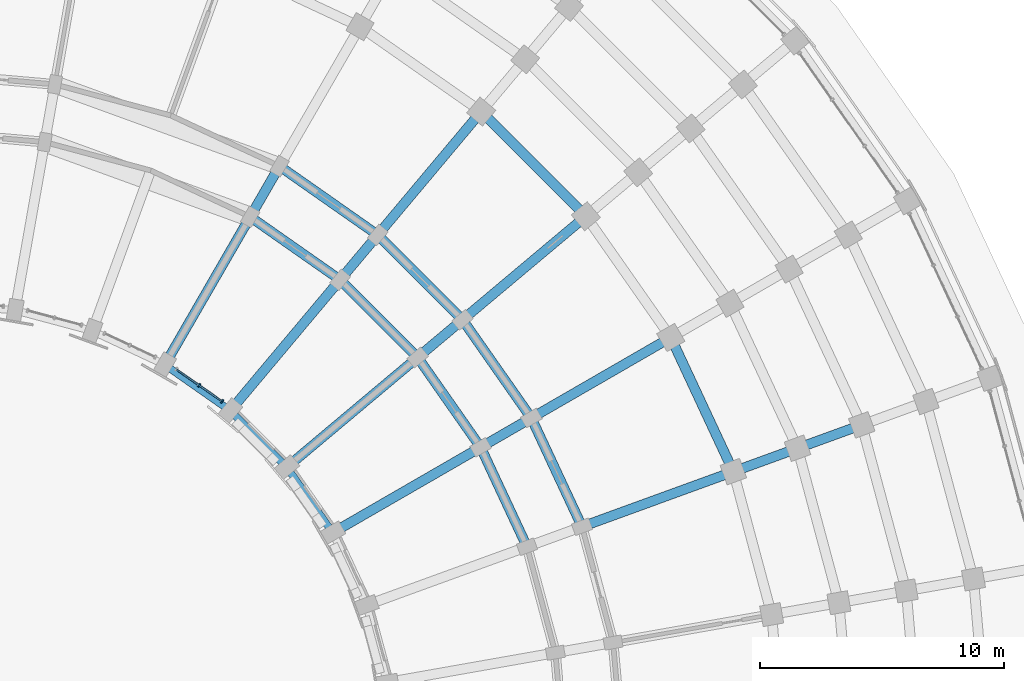
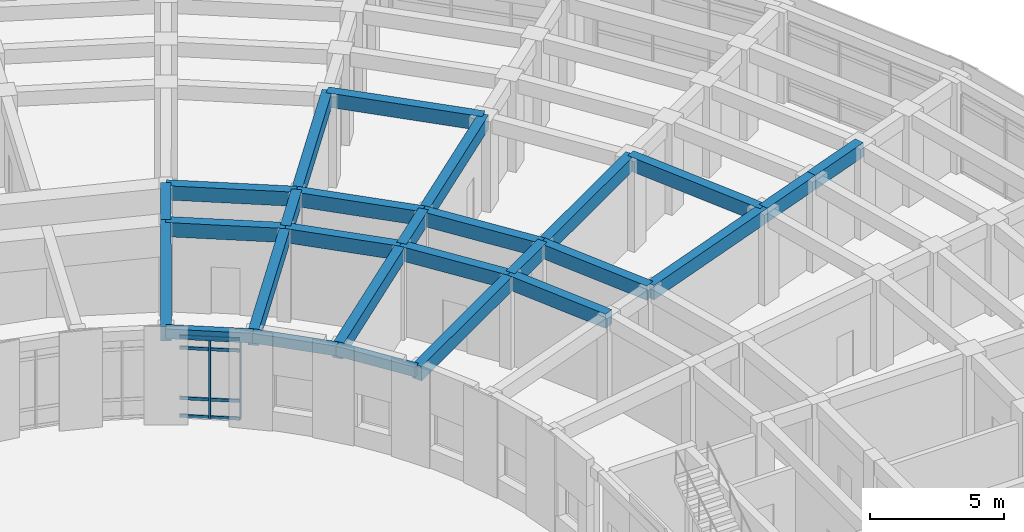
# One storey, part 50 of 135: 27 beams, 6 members, 1 element without a shape of its own.
"""IFC4 building model written with IfcOpenShell, lengths in metres."""

import ifcopenshell
import ifcopenshell.guid

model = None  # the IFC model being written
_history = None  # IfcOwnerHistory: only IFC2X3 demands one
_inside = {}  # id of a spatial element -> (the spatial element, [elements in it])
_under = {}  # id of a project, library or spatial element -> (it, [spatial elements below it])
_declared = {}  # id of a project -> (the project, [libraries it declares])
_typed = {}  # id of a type object -> (the type object, [elements of that type])
_made_of = {}  # id of a material, layer set ... -> (it, [elements and type objects made of it])


def new_model(schema):
    """Start an empty IFC model of exactly this schema.

    Asked for "IFC4X3", IfcOpenShell would pick the latest addendum, in which some entities
    have other attributes; the version numbers below select the first issue.
    IFC2X3 requires an IfcOwnerHistory on every rooted entity: one is made here for all.
    """
    global model, _history
    if schema == "IFC4X3":
        model = ifcopenshell.file(schema_version=(4, 3, 0, 0))
    else:
        model = ifcopenshell.file(schema=schema)
    _inside.clear()
    _under.clear()
    _declared.clear()
    _typed.clear()
    _made_of.clear()
    _history = None
    if model.schema == "IFC2X3":
        org = make("IfcOrganization", Name="unknown")
        user = make(
            "IfcPersonAndOrganization",
            ThePerson=make("IfcPerson", FamilyName="unknown"),
            TheOrganization=org,
        )
        app = make(
            "IfcApplication",
            ApplicationDeveloper=org,
            Version="unknown",
            ApplicationFullName="unknown",
            ApplicationIdentifier="unknown",
        )
        _history = make(
            "IfcOwnerHistory",
            OwningUser=user,
            OwningApplication=app,
            ChangeAction="ADDED",
            CreationDate=0,
        )
    return model


def make(cls, **values):
    """One entity of the class cls with the attributes given. An attribute that is None is left unset."""
    return model.create_entity(
        cls, **{name: value for name, value in values.items() if value is not None}
    )


def rooted(cls, **values):
    """An entity with a GlobalId (a new one), such as an element, a storey or a relation."""
    return make(cls, GlobalId=ifcopenshell.guid.new(), OwnerHistory=_history, **values)


def si_unit(unit_type, name, prefix=None):
    """IfcSIUnit, for example si_unit("LENGTHUNIT", "METRE", prefix="MILLI")."""
    return make("IfcSIUnit", UnitType=unit_type, Prefix=prefix, Name=name)


def assignment(units):
    """IfcUnitAssignment: the units of a project."""
    return None if units is None else make("IfcUnitAssignment", Units=units)


def point(xyz):
    """IfcCartesianPoint."""
    return None if xyz is None else make("IfcCartesianPoint", Coordinates=xyz)


def direction(xyz):
    """IfcDirection."""
    return None if xyz is None else make("IfcDirection", DirectionRatios=xyz)


def frame(location, z_axis=None, x_axis=None):
    """IfcAxis2Placement3D, a coordinate frame: its origin and axes. An axis left out is left unset."""
    return make(
        "IfcAxis2Placement3D",
        Location=point(location),
        Axis=direction(z_axis),
        RefDirection=direction(x_axis),
    )


def frame_2d(location, x_axis=None):
    """IfcAxis2Placement2D, a coordinate frame in the plane: its origin and x axis."""
    return make(
        "IfcAxis2Placement2D", Location=point(location), RefDirection=direction(x_axis)
    )


def origin():
    """The frame at (0, 0, 0) with its axes left unset."""
    return frame((0.0, 0.0, 0.0))


def origin_2d():
    """The frame at (0, 0) in the plane with its x axis left unset."""
    return frame_2d((0.0, 0.0))


def place(relative_to, where):
    """IfcLocalPlacement: puts the frame where relative to a parent placement (None: the world)."""
    return make(
        "IfcLocalPlacement", PlacementRelTo=relative_to, RelativePlacement=where
    )


def context(
    kind, dimensions, precision=None, world=None, true_north=None, identifier=None
):
    """IfcGeometricRepresentationContext, for example the 3D "Model" context."""
    return make(
        "IfcGeometricRepresentationContext",
        ContextIdentifier=identifier,
        ContextType=kind,
        CoordinateSpaceDimension=dimensions,
        Precision=precision,
        WorldCoordinateSystem=world,
        TrueNorth=true_north,
    )


def subcontext(parent, identifier, kind, view, scale=None):
    """IfcGeometricRepresentationSubContext, for example "Body" below "Model"."""
    return make(
        "IfcGeometricRepresentationSubContext",
        ContextIdentifier=identifier,
        ContextType=kind,
        ParentContext=parent,
        TargetScale=scale,
        TargetView=view,
    )


def project(units=None, contexts=None):
    """IfcProject with its units and contexts."""
    return rooted(
        "IfcProject",
        Name="project",
        RepresentationContexts=contexts,
        UnitsInContext=assignment(units),
    )


def spatial(cls, under=None, at=None, **own):
    """A site, building, storey or space (cls), placed at a placement, below another one or the project."""
    s = rooted(cls, ObjectPlacement=at, **own)
    if under is not None:
        _under.setdefault(under.id(), (under, []))[1].append(s)
    return s


def profile(cls, at=None, kind="AREA", **sizes):
    """A parametric profile (cls). Its sizes go by their IFC names, for example OverallWidth=200.0."""
    return make(cls, ProfileType=kind, Position=at, **sizes)


def rectangle(**sizes):
    """IfcRectangleProfileDef."""
    return profile("IfcRectangleProfileDef", **sizes)


def extrude(swept, where, along, depth):
    """IfcExtrudedAreaSolid: the profile swept, set in the frame where, extruded along a direction by depth."""
    return make(
        "IfcExtrudedAreaSolid",
        SweptArea=swept,
        Position=where,
        ExtrudedDirection=direction(along),
        Depth=depth,
    )


def shape(context_of_items, identifier, shape_type, items):
    """IfcShapeRepresentation: the items that make up one representation, for example the "Body"."""
    return make(
        "IfcShapeRepresentation",
        ContextOfItems=context_of_items,
        RepresentationIdentifier=identifier,
        RepresentationType=shape_type,
        Items=items,
    )


def material(Name=None, Category=None):
    """IfcMaterial."""
    return make("IfcMaterial", Name=Name, Category=Category)


def material_profile(
    of_material, cross_section, Name=None, Category=None, Priority=None
):
    """IfcMaterialProfile: a cross section and its material."""
    return make(
        "IfcMaterialProfile",
        Name=Name,
        Material=of_material,
        Profile=cross_section,
        Priority=Priority,
        Category=Category,
    )


def profile_set(profiles, Name=None, composite=None):
    """IfcMaterialProfileSet."""
    return make(
        "IfcMaterialProfileSet",
        Name=Name,
        MaterialProfiles=profiles,
        CompositeProfile=composite,
    )


def made_of(thing, what):
    """Note that an element or type object is made of a material, layer set ...; save() writes the relation."""
    if what is not None:
        _made_of.setdefault(what.id(), (what, []))[1].append(thing)
    return thing


def type_object(cls, material=None, **own):
    """A type object (cls), such as IfcWallType, which elements share."""
    return made_of(rooted(cls, **own), material)


def element(
    cls,
    number,
    at=None,
    inside=None,
    cuts=None,
    type_object=None,
    material=None,
    context=None,
    identifier="Body",
    shape_type=None,
    held_by="IfcProductDefinitionShape",
    body=None,
    shapes=None,
    **own,
):
    """One element of the class cls, such as IfcWall. Its Tag is "e" and its number.

    at: its placement. inside: the storey or other place that contains it. cuts: it is an
    opening in that element (IfcRelVoidsElement). A single representation is given by context,
    identifier, shape_type and body (its items); several are given by shapes. held_by: the class
    of the entity that holds the representations. save() writes the other relations.
    """
    e = rooted(cls, Tag="e%d" % number, ObjectPlacement=at, **own)
    if body is not None:
        shapes = [shape(context, identifier, shape_type, body)]
    if shapes is not None:
        e.Representation = make(held_by, Representations=shapes)
    if inside is not None:
        _inside.setdefault(inside.id(), (inside, []))[1].append(e)
    if cuts is not None:
        rooted(
            "IfcRelVoidsElement", RelatingBuildingElement=cuts, RelatedOpeningElement=e
        )
    if type_object is not None:
        _typed.setdefault(type_object.id(), (type_object, []))[1].append(e)
    return made_of(e, material)


def aggregate(whole, parts):
    """IfcRelAggregates: a whole, such as a stair, and the parts it consists of."""
    return rooted("IfcRelAggregates", RelatingObject=whole, RelatedObjects=parts)


def save(model, path):
    """Write the relations noted so far, then the file.

    IfcRelAggregates (storeys below a building ...), IfcRelContainedInSpatialStructure (elements
    in a storey), IfcRelDefinesByType, IfcRelAssociatesMaterial and IfcRelDeclares: one each for
    every whole, place, type object, material and project.
    """
    for whole, parts in _under.values():
        aggregate(whole, parts)
    for where, things in _inside.values():
        rooted(
            "IfcRelContainedInSpatialStructure",
            RelatedElements=things,
            RelatingStructure=where,
        )
    for kind, things in _typed.values():
        rooted("IfcRelDefinesByType", RelatedObjects=things, RelatingType=kind)
    for what, things in _made_of.values():
        rooted("IfcRelAssociatesMaterial", RelatedObjects=things, RelatingMaterial=what)
    for by, libraries in _declared.values():
        rooted("IfcRelDeclares", RelatingContext=by, RelatedDefinitions=libraries)
    model.write(path)


model = new_model("IFC4")

# Units and contexts
model_context = context("Model", 3, precision=1e-05, world=origin(), true_north=direction((0.0, 1.0)))
body_context = subcontext(model_context, "Body", "Model", "MODEL_VIEW")
ifc_project = project(units=[si_unit("LENGTHUNIT", "METRE"), si_unit("AREAUNIT", "SQUARE_METRE"), si_unit("VOLUMEUNIT", "CUBIC_METRE"), si_unit("PLANEANGLEUNIT", "RADIAN"), si_unit("MASSUNIT", "GRAM", prefix="KILO")], contexts=[model_context])

# Site, building, storey
site_placement = place(None, origin())
site = spatial("IfcSite", under=ifc_project, at=site_placement, CompositionType="ELEMENT")
building_placement = place(site_placement, origin())
building = spatial("IfcBuilding", under=site, at=building_placement, Name="Kiranvali Square Residences", CompositionType="ELEMENT")
storey_placement = place(building_placement, origin())
storey = spatial("IfcBuildingStorey", under=building, at=storey_placement, Name="L00", CompositionType="ELEMENT", Elevation=0.0)

# Beams
ifc_material_1 = material(Name="Concrete M45 (45 MPa)", Category="concrete")
ifc_material_profile_1 = material_profile(ifc_material_1, rectangle(XDim=0.39990234375, YDim=0.64990234375, at=origin_2d()), Name="RC 400x650")
ifc_profile_set_1 = profile_set([ifc_material_profile_1], Name="Concrete M45 (45 MPa)")
beam_type_1 = type_object("IfcBeamType", Name="BM-M45-400x650", PredefinedType="BEAM", material=ifc_profile_set_1)
beam_1_placement = place(storey_placement, frame((132.699951171875, 110.1435546875, 3.824951171875), z_axis=(0.819155404658, -0.573571637217, 0.0), x_axis=(0.573571637217, 0.819155404658, 0.0)))
element("IfcBeam", 1, at=beam_1_placement, inside=storey, type_object=beam_type_1, Name="L00 beam BM-B-L00-C03-R1", PredefinedType="BEAM", context=body_context, shape_type="SweptSolid", body=[
    extrude(rectangle(XDim=0.39990234375, YDim=0.64990234375, at=origin_2d()), origin(), (0.0, 0.0, 1.0), 4.497314453125),
])
beam_2_placement = place(storey_placement, frame((133.89990234375, 112.221923828125, 3.824951171875), z_axis=(0.819140911474, -0.573592335331, 0.0), x_axis=(0.573592335331, 0.819140911474, 0.0)))
element("IfcBeam", 2, at=beam_2_placement, inside=storey, type_object=beam_type_1, Name="L00 beam BM-B-L00-C03-R2", PredefinedType="BEAM", context=body_context, shape_type="SweptSolid", body=[
    extrude(rectangle(XDim=0.39990234375, YDim=0.64990234375, at=origin_2d()), origin(), (0.0, 0.0, 1.0), 4.915771484375),
])
beam_3_placement = place(storey_placement, frame((136.384033203125, 107.56396484375, 3.824951171875), z_axis=(0.707106781187, -0.707106781187, 0.0), x_axis=(0.707106781187, 0.707106781187, 0.0)))
element("IfcBeam", 3, at=beam_3_placement, inside=storey, type_object=beam_type_1, Name="L00 beam BM-B-L00-C04-R1", PredefinedType="BEAM", context=body_context, shape_type="SweptSolid", body=[
    extrude(rectangle(XDim=0.39990234375, YDim=0.64990234375, at=origin_2d()), origin(), (0.0, 0.0, 1.0), 4.4970703125),
])
beam_4_placement = place(storey_placement, frame((137.926513671875, 109.40234375, 3.824951171875), z_axis=(0.707106781187, -0.707106781187, 0.0), x_axis=(0.707106781187, 0.707106781187, 0.0)))
element("IfcBeam", 4, at=beam_4_placement, inside=storey, type_object=beam_type_1, Name="L00 beam BM-B-L00-C04-R2", PredefinedType="BEAM", context=body_context, shape_type="SweptSolid", body=[
    extrude(rectangle(XDim=0.39990234375, YDim=0.64990234375, at=origin_2d()), origin(), (0.0, 0.0, 1.0), 4.91552734375),
])
beam_5_placement = place(storey_placement, frame((142.1689453125, 114.458251953125, 3.824951171875), z_axis=(0.707106781187, -0.707106781187, 0.0), x_axis=(0.707106781187, 0.707106781187, 0.0)))
element("IfcBeam", 5, at=beam_5_placement, inside=storey, type_object=beam_type_1, Name="L00 beam BM-B-L00-C04-R3", PredefinedType="BEAM", context=body_context, shape_type="SweptSolid", body=[
    extrude(rectangle(XDim=0.39990234375, YDim=0.64990234375, at=origin_2d()), origin(), (0.0, 0.0, 1.0), 6.06591796875),
])
beam_6_placement = place(storey_placement, frame((139.56396484375, 104.384033203125, 3.824951171875), z_axis=(0.573571637217, -0.819155404658, 0.0), x_axis=(0.819155404658, 0.573571637217, 0.0)))
element("IfcBeam", 6, at=beam_6_placement, inside=storey, type_object=beam_type_1, Name="L00 beam BM-B-L00-C05-R1", PredefinedType="BEAM", context=body_context, shape_type="SweptSolid", body=[
    extrude(rectangle(XDim=0.39990234375, YDim=0.64990234375, at=origin_2d()), origin(), (0.0, 0.0, 1.0), 4.497314453125),
])
beam_7_placement = place(storey_placement, frame((141.40234375, 105.926513671875, 3.824951171875), z_axis=(0.573592335331, -0.819140911474, 0.0), x_axis=(0.819140911474, 0.573592335331, 0.0)))
element("IfcBeam", 7, at=beam_7_placement, inside=storey, type_object=beam_type_1, Name="L00 beam BM-B-L00-C05-R2", PredefinedType="BEAM", context=body_context, shape_type="SweptSolid", body=[
    extrude(rectangle(XDim=0.39990234375, YDim=0.64990234375, at=origin_2d()), origin(), (0.0, 0.0, 1.0), 4.915771484375),
])
beam_8_placement = place(storey_placement, frame((142.1435546875, 100.699951171875, 3.824951171875), z_axis=(0.422617978463, -0.906307919131, 0.0), x_axis=(0.906307919131, 0.422617978463, 0.0)))
element("IfcBeam", 8, at=beam_8_placement, inside=storey, type_object=beam_type_1, Name="L00 beam BM-B-L00-C06-R1", PredefinedType="BEAM", context=body_context, shape_type="SweptSolid", body=[
    extrude(rectangle(XDim=0.39990234375, YDim=0.64990234375, at=origin_2d()), origin(), (0.0, 0.0, 1.0), 4.497314453125),
])
beam_9_placement = place(storey_placement, frame((144.221923828125, 101.89990234375, 3.824951171875), z_axis=(0.422629854778, -0.906302381024, 0.0), x_axis=(0.906302381024, 0.422629854778, 0.0)))
element("IfcBeam", 9, at=beam_9_placement, inside=storey, type_object=beam_type_1, Name="L00 beam BM-B-L00-C06-R2", PredefinedType="BEAM", context=body_context, shape_type="SweptSolid", body=[
    extrude(rectangle(XDim=0.39990234375, YDim=0.64990234375, at=origin_2d()), origin(), (0.0, 0.0, 1.0), 4.915283203125),
])
beam_10_placement = place(storey_placement, frame((149.937744140625, 105.199951171875, 3.824951171875), z_axis=(0.42260781991, -0.906312656069, 0.0), x_axis=(0.906312656069, 0.42260781991, 0.0)))
element("IfcBeam", 10, at=beam_10_placement, inside=storey, type_object=beam_type_1, Name="L00 beam BM-B-L00-C06-R3", PredefinedType="BEAM", context=body_context, shape_type="SweptSolid", body=[
    extrude(rectangle(XDim=0.39990234375, YDim=0.64990234375, at=origin_2d()), origin(), (0.0, 0.0, 1.0), 6.06591796875),
])
beam_11_placement = place(storey_placement, frame((129.199951171875, 104.081298828125, 3.824951171875), z_axis=(0.499995173006, 0.866028190633, 0.0), x_axis=(-0.866028190633, 0.499995173006, 0.0)))
element("IfcBeam", 11, at=beam_11_placement, inside=storey, type_object=beam_type_1, Name="L00 beam BM-B-L00-RAD03-01", PredefinedType="BEAM", context=body_context, shape_type="SweptSolid", body=[
    extrude(rectangle(XDim=0.39990234375, YDim=0.64990234375, at=origin_2d()), origin(), (0.0, 0.0, 1.0), 7.0),
])
beam_12_placement = place(storey_placement, frame((132.699951171875, 110.1435546875, 3.824951171875), z_axis=(0.500001309137, 0.866024647952, 0.0), x_axis=(-0.866024647952, 0.500001309137, 0.0)))
element("IfcBeam", 12, at=beam_12_placement, inside=storey, type_object=beam_type_1, Name="L00 beam BM-B-L00-RAD03-12", PredefinedType="BEAM", context=body_context, shape_type="SweptSolid", body=[
    extrude(rectangle(XDim=0.39990234375, YDim=0.64990234375, at=origin_2d()), origin(), (0.0, 0.0, 1.0), 2.39990234375),
])
beam_13_placement = place(storey_placement, frame((131.884521484375, 102.20166015625, 3.824951171875), z_axis=(0.642787931032, 0.766044173478, 0.0), x_axis=(-0.766044173478, 0.642787931032, 0.0)))
element("IfcBeam", 13, at=beam_13_placement, inside=storey, type_object=beam_type_1, Name="L00 beam BM-B-L00-RAD04-01", PredefinedType="BEAM", context=body_context, shape_type="SweptSolid", body=[
    extrude(rectangle(XDim=0.39990234375, YDim=0.64990234375, at=origin_2d()), origin(), (0.0, 0.0, 1.0), 7.0),
])
beam_14_placement = place(storey_placement, frame((136.384033203125, 107.56396484375, 3.824951171875), z_axis=(0.642762521781, 0.766065493671, 0.0), x_axis=(-0.766065493671, 0.642762521781, 0.0)))
element("IfcBeam", 14, at=beam_14_placement, inside=storey, type_object=beam_type_1, Name="L00 beam BM-B-L00-RAD04-12", PredefinedType="BEAM", context=body_context, shape_type="SweptSolid", body=[
    extrude(rectangle(XDim=0.39990234375, YDim=0.64990234375, at=origin_2d()), origin(), (0.0, 0.0, 1.0), 2.399658203125),
])
beam_15_placement = place(storey_placement, frame((137.926513671875, 109.40234375, 3.824951171875), z_axis=(0.642789470807, 0.766042881449, 0.0), x_axis=(-0.766042881449, 0.642789470807, 0.0)))
element("IfcBeam", 15, at=beam_15_placement, inside=storey, type_object=beam_type_1, Name="L00 beam BM-B-L00-RAD04-23", PredefinedType="BEAM", context=body_context, shape_type="SweptSolid", body=[
    extrude(rectangle(XDim=0.39990234375, YDim=0.64990234375, at=origin_2d()), origin(), (0.0, 0.0, 1.0), 6.60009765625),
])
beam_16_placement = place(storey_placement, frame((134.20166015625, 99.884521484375, 3.824951171875), z_axis=(0.766044173478, 0.642787931032, 0.0), x_axis=(-0.642787931032, 0.766044173478, 0.0)))
element("IfcBeam", 16, at=beam_16_placement, inside=storey, type_object=beam_type_1, Name="L00 beam BM-B-L00-RAD05-01", PredefinedType="BEAM", context=body_context, shape_type="SweptSolid", body=[
    extrude(rectangle(XDim=0.39990234375, YDim=0.64990234375, at=origin_2d()), origin(), (0.0, 0.0, 1.0), 7.0),
])
beam_17_placement = place(storey_placement, frame((139.56396484375, 104.384033203125, 3.824951171875), z_axis=(0.766065493671, 0.642762521781, 0.0), x_axis=(-0.642762521781, 0.766065493671, 0.0)))
element("IfcBeam", 17, at=beam_17_placement, inside=storey, type_object=beam_type_1, Name="L00 beam BM-B-L00-RAD05-12", PredefinedType="BEAM", context=body_context, shape_type="SweptSolid", body=[
    extrude(rectangle(XDim=0.39990234375, YDim=0.64990234375, at=origin_2d()), origin(), (0.0, 0.0, 1.0), 2.399658203125),
])
beam_18_placement = place(storey_placement, frame((141.40234375, 105.926513671875, 3.824951171875), z_axis=(0.766042881449, 0.642789470807, 0.0), x_axis=(-0.642789470807, 0.766042881449, 0.0)))
element("IfcBeam", 18, at=beam_18_placement, inside=storey, type_object=beam_type_1, Name="L00 beam BM-B-L00-RAD05-23", PredefinedType="BEAM", context=body_context, shape_type="SweptSolid", body=[
    extrude(rectangle(XDim=0.39990234375, YDim=0.64990234375, at=origin_2d()), origin(), (0.0, 0.0, 1.0), 6.60009765625),
])
beam_19_placement = place(storey_placement, frame((136.081298828125, 97.199951171875, 3.824951171875), z_axis=(0.866028190633, 0.499995173006, 0.0), x_axis=(-0.499995173006, 0.866028190633, 0.0)))
element("IfcBeam", 19, at=beam_19_placement, inside=storey, type_object=beam_type_1, Name="L00 beam BM-B-L00-RAD06-01", PredefinedType="BEAM", context=body_context, shape_type="SweptSolid", body=[
    extrude(rectangle(XDim=0.39990234375, YDim=0.64990234375, at=origin_2d()), origin(), (0.0, 0.0, 1.0), 7.0),
])
beam_20_placement = place(storey_placement, frame((142.1435546875, 100.699951171875, 3.824951171875), z_axis=(0.866024647952, 0.500001309137, 0.0), x_axis=(-0.500001309137, 0.866024647952, 0.0)))
element("IfcBeam", 20, at=beam_20_placement, inside=storey, type_object=beam_type_1, Name="L00 beam BM-B-L00-RAD06-12", PredefinedType="BEAM", context=body_context, shape_type="SweptSolid", body=[
    extrude(rectangle(XDim=0.39990234375, YDim=0.64990234375, at=origin_2d()), origin(), (0.0, 0.0, 1.0), 2.39990234375),
])
beam_21_placement = place(storey_placement, frame((144.221923828125, 101.89990234375, 3.824951171875), z_axis=(0.866024194504, 0.500002094529, 0.0), x_axis=(-0.500002094529, 0.866024194504, 0.0)))
element("IfcBeam", 21, at=beam_21_placement, inside=storey, type_object=beam_type_1, Name="L00 beam BM-B-L00-RAD06-23", PredefinedType="BEAM", context=body_context, shape_type="SweptSolid", body=[
    extrude(rectangle(XDim=0.39990234375, YDim=0.64990234375, at=origin_2d()), origin(), (0.0, 0.0, 1.0), 6.60009765625),
])
beam_22_placement = place(storey_placement, frame((146.29931640625, 97.445068359375, 3.824951171875), z_axis=(0.939691858249, 0.342022238372, 0.0), x_axis=(-0.342022238372, 0.939691858249, 0.0)))
element("IfcBeam", 22, at=beam_22_placement, inside=storey, type_object=beam_type_1, Name="L00 beam BM-B-L00-RAD07-23", PredefinedType="BEAM", context=body_context, shape_type="SweptSolid", body=[
    extrude(rectangle(XDim=0.39990234375, YDim=0.64990234375, at=origin_2d()), origin(), (0.0, 0.0, 1.0), 6.599853515625),
])
beam_23_placement = place(storey_placement, frame((152.501220703125, 99.702392578125, 3.824951171875), z_axis=(0.93970683422, 0.341981089711, 0.0), x_axis=(-0.341981089711, 0.93970683422, 0.0)))
element("IfcBeam", 23, at=beam_23_placement, inside=storey, type_object=beam_type_1, Name="L00 beam BM-B-L00-RAD07-34", PredefinedType="BEAM", context=body_context, shape_type="SweptSolid", body=[
    extrude(rectangle(XDim=0.39990234375, YDim=0.64990234375, at=origin_2d()), origin(), (0.0, 0.0, 1.0), 2.7998046875),
])
beam_24_placement = place(storey_placement, frame((155.13232421875, 100.659912109375, 3.824951171875), z_axis=(0.939689011208, 0.342030060398, 0.0), x_axis=(-0.342030060398, 0.939689011208, 0.0)))
element("IfcBeam", 24, at=beam_24_placement, inside=storey, type_object=beam_type_1, Name="L00 beam BM-B-L00-RAD07-45", PredefinedType="BEAM", context=body_context, shape_type="SweptSolid", body=[
    extrude(rectangle(XDim=0.39990234375, YDim=0.64990234375, at=origin_2d()), origin(), (0.0, 0.0, 1.0), 2.80029296875),
])

# Curtain wall, members
ifc_material_2 = material(Name="Anodised bronze aluminium framing", Category="aluminium")
curtain_wall_type = type_object("IfcCurtainWallType", Name="CW-RET-SHOP", PredefinedType="USERDEFINED", material=ifc_material_2)
curtain_wall_placement = place(storey_placement, origin())
curtain_wall = element("IfcCurtainWall", 25, at=curtain_wall_placement, inside=storey, type_object=curtain_wall_type, Name="Block B L00 garden foyer curtain wall 4", ObjectType="CURTAIN WALL", PredefinedType="USERDEFINED")
ifc_material_profile_2 = material_profile(ifc_material_2, rectangle(XDim=0.06494140625, YDim=0.159912109375, at=origin_2d()), Name="ALU 65x160")
ifc_profile_set_2 = profile_set([ifc_material_profile_2], Name="Anodised bronze aluminium framing")
member_type_1 = type_object("IfcMemberType", Name="CW-MUL-160", PredefinedType="MULLION", material=ifc_profile_set_2)
member_1_placement = place(storey_placement, frame((130.611083984375, 103.23974609375, 0.02001953125), z_axis=(0.0, 0.0, 1.0), x_axis=(0.819152044289, -0.573576436351, 0.0)))
member_1 = element("IfcMember", 26, at=member_1_placement, type_object=member_type_1, Name="CW-B-L00-GDN-03 vertical mullion 2", PredefinedType="MULLION", context=body_context, shape_type="SweptSolid", body=[
    extrude(rectangle(XDim=0.06494140625, YDim=0.159912109375, at=origin_2d()), origin(), (0.0, 0.0, 1.0), 3.659912109375),
])
member_2_placement = place(storey_placement, frame((131.5517578125, 102.5810546875, 0.02001953125), z_axis=(0.0, 0.0, 1.0), x_axis=(0.819152044289, -0.573576436351, 0.0)))
member_2 = element("IfcMember", 27, at=member_2_placement, type_object=member_type_1, Name="CW-B-L00-GDN-03 vertical mullion 3", PredefinedType="MULLION", context=body_context, shape_type="SweptSolid", body=[
    extrude(rectangle(XDim=0.06494140625, YDim=0.159912109375, at=origin_2d()), origin(), (0.0, 0.0, 1.0), 3.659912109375),
])
ifc_material_profile_3 = material_profile(ifc_material_2, rectangle(XDim=0.06494140625, YDim=0.139892578125, at=origin_2d()), Name="ALU 65x140")
ifc_profile_set_3 = profile_set([ifc_material_profile_3], Name="Anodised bronze aluminium framing")
member_type_2 = type_object("IfcMemberType", Name="CW-TRN-140", PredefinedType="MULLION", material=ifc_profile_set_3)
member_3_placement = place(storey_placement, frame((129.678466796875, 103.892822265625, 0.0400390625), z_axis=(0.819131167898, -0.573606249772, 0.0), x_axis=(0.573606249772, 0.819131167898, 0.0)))
member_3 = element("IfcMember", 28, at=member_3_placement, type_object=member_type_2, Name="CW-B-L00-GDN-03 horizontal transom 1", PredefinedType="MULLION", context=body_context, shape_type="SweptSolid", body=[
    extrude(rectangle(XDim=0.06494140625, YDim=0.139892578125, at=origin_2d()), origin(), (0.0, 0.0, 1.0), 2.277099609375),
])
member_4_placement = place(storey_placement, frame((129.678466796875, 103.892822265625, 0.85009765625), z_axis=(0.819131167898, -0.573606249772, 0.0), x_axis=(0.573606249772, 0.819131167898, 0.0)))
member_4 = element("IfcMember", 29, at=member_4_placement, type_object=member_type_2, Name="CW-B-L00-GDN-03 horizontal transom 2", PredefinedType="MULLION", context=body_context, shape_type="SweptSolid", body=[
    extrude(rectangle(XDim=0.06494140625, YDim=0.139892578125, at=origin_2d()), origin(), (0.0, 0.0, 1.0), 2.277099609375),
])
member_5_placement = place(storey_placement, frame((129.678466796875, 103.892822265625, 3.14990234375), z_axis=(0.819131167898, -0.573606249772, 0.0), x_axis=(0.573606249772, 0.819131167898, 0.0)))
member_5 = element("IfcMember", 30, at=member_5_placement, type_object=member_type_2, Name="CW-B-L00-GDN-03 horizontal transom 3", PredefinedType="MULLION", context=body_context, shape_type="SweptSolid", body=[
    extrude(rectangle(XDim=0.06494140625, YDim=0.139892578125, at=origin_2d()), origin(), (0.0, 0.0, 1.0), 2.277099609375),
])
member_6_placement = place(storey_placement, frame((129.678466796875, 103.892822265625, 3.659912109375), z_axis=(0.819131167898, -0.573606249772, 0.0), x_axis=(0.573606249772, 0.819131167898, 0.0)))
member_6 = element("IfcMember", 31, at=member_6_placement, type_object=member_type_2, Name="CW-B-L00-GDN-03 horizontal transom 4", PredefinedType="MULLION", context=body_context, shape_type="SweptSolid", body=[
    extrude(rectangle(XDim=0.06494140625, YDim=0.139892578125, at=origin_2d()), origin(), (0.0, 0.0, 1.0), 2.277099609375),
])
aggregate(curtain_wall, [member_1, member_2, member_3, member_4, member_5, member_6])

# Beams
ifc_material_3 = material(Name="Concrete M40 (40 MPa)", Category="concrete")
ifc_material_profile_4 = material_profile(ifc_material_3, rectangle(XDim=0.300048828125, YDim=0.449951171875, at=origin_2d()), Name="RC 300x450")
ifc_profile_set_4 = profile_set([ifc_material_profile_4], Name="Concrete M40 (40 MPa)")
beam_type_2 = type_object("IfcBeamType", Name="SPN-M40-300x450", PredefinedType="SPANDREL", material=ifc_profile_set_4)
beam_25_placement = place(storey_placement, frame((129.199951171875, 104.081298828125, 3.925048828125), z_axis=(0.81916891812, -0.573552337269, 0.0), x_axis=(0.573552337269, 0.81916891812, 0.0)))
element("IfcBeam", 32, at=beam_25_placement, inside=storey, type_object=beam_type_2, Name="L00 beam BM-B-L00-C03-R0", PredefinedType="SPANDREL", context=body_context, shape_type="SweptSolid", body=[
    extrude(rectangle(XDim=0.300048828125, YDim=0.449951171875, at=origin_2d()), origin(), (0.0, 0.0, 1.0), 3.277099609375),
])
beam_26_placement = place(storey_placement, frame((131.884521484375, 102.20166015625, 3.925048828125), z_axis=(0.707106781187, -0.707106781187, 0.0), x_axis=(0.707106781187, 0.707106781187, 0.0)))
element("IfcBeam", 33, at=beam_26_placement, inside=storey, type_object=beam_type_2, Name="L00 beam BM-B-L00-C04-R0", PredefinedType="SPANDREL", context=body_context, shape_type="SweptSolid", body=[
    extrude(rectangle(XDim=0.300048828125, YDim=0.449951171875, at=origin_2d()), origin(), (0.0, 0.0, 1.0), 3.27685546875),
])
beam_27_placement = place(storey_placement, frame((134.20166015625, 99.884521484375, 3.925048828125), z_axis=(0.573552337269, -0.81916891812, 0.0), x_axis=(0.81916891812, 0.573552337269, 0.0)))
element("IfcBeam", 34, at=beam_27_placement, inside=storey, type_object=beam_type_2, Name="L00 beam BM-B-L00-C05-R0", PredefinedType="SPANDREL", context=body_context, shape_type="SweptSolid", body=[
    extrude(rectangle(XDim=0.300048828125, YDim=0.449951171875, at=origin_2d()), origin(), (0.0, 0.0, 1.0), 3.277099609375),
])

save(model, "model.ifc")
